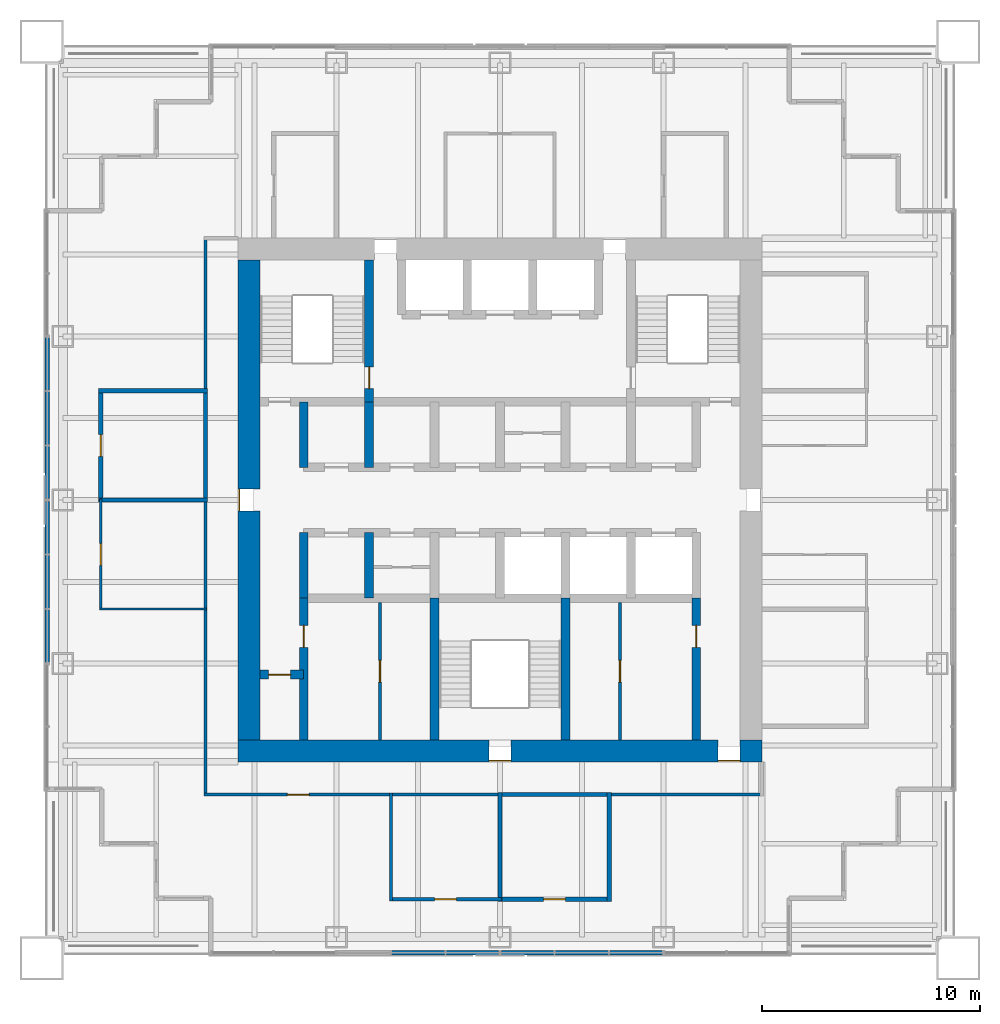
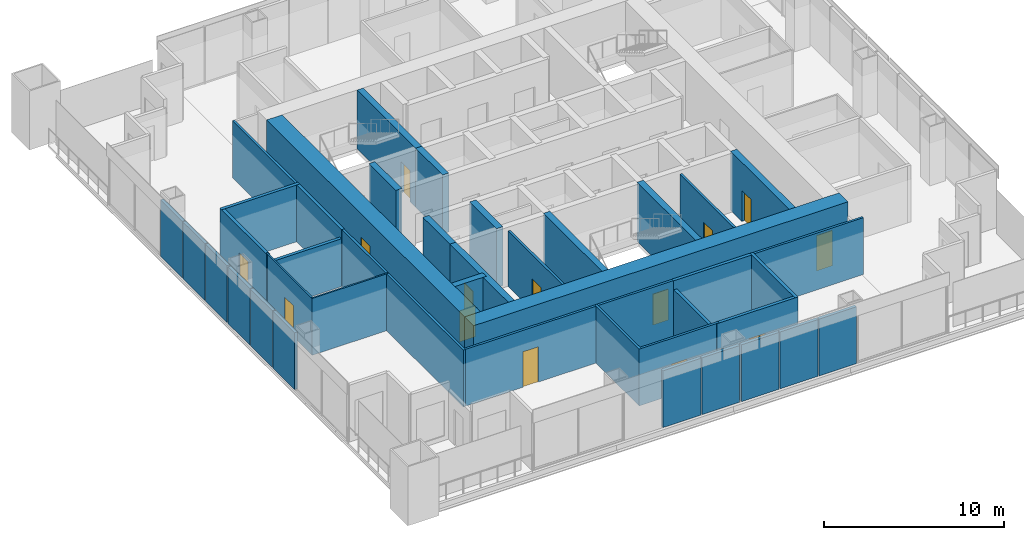
# One storey, part 9 of 14: 41 walls, 14 doors, 14 openings.
"""IFC4 building model written with IfcOpenShell, lengths in metres."""

import ifcopenshell
import ifcopenshell.guid

model = None  # the IFC model being written
_history = None  # IfcOwnerHistory: only IFC2X3 demands one
_inside = {}  # id of a spatial element -> (the spatial element, [elements in it])
_under = {}  # id of a project, library or spatial element -> (it, [spatial elements below it])
_declared = {}  # id of a project -> (the project, [libraries it declares])
_typed = {}  # id of a type object -> (the type object, [elements of that type])
_made_of = {}  # id of a material, layer set ... -> (it, [elements and type objects made of it])


def new_model(schema):
    """Start an empty IFC model of exactly this schema.

    Asked for "IFC4X3", IfcOpenShell would pick the latest addendum, in which some entities
    have other attributes; the version numbers below select the first issue.
    IFC2X3 requires an IfcOwnerHistory on every rooted entity: one is made here for all.
    """
    global model, _history
    if schema == "IFC4X3":
        model = ifcopenshell.file(schema_version=(4, 3, 0, 0))
    else:
        model = ifcopenshell.file(schema=schema)
    _inside.clear()
    _under.clear()
    _declared.clear()
    _typed.clear()
    _made_of.clear()
    _history = None
    if model.schema == "IFC2X3":
        org = make("IfcOrganization", Name="unknown")
        user = make(
            "IfcPersonAndOrganization",
            ThePerson=make("IfcPerson", FamilyName="unknown"),
            TheOrganization=org,
        )
        app = make(
            "IfcApplication",
            ApplicationDeveloper=org,
            Version="unknown",
            ApplicationFullName="unknown",
            ApplicationIdentifier="unknown",
        )
        _history = make(
            "IfcOwnerHistory",
            OwningUser=user,
            OwningApplication=app,
            ChangeAction="ADDED",
            CreationDate=0,
        )
    return model


def make(cls, **values):
    """One entity of the class cls with the attributes given. An attribute that is None is left unset."""
    return model.create_entity(
        cls, **{name: value for name, value in values.items() if value is not None}
    )


def rooted(cls, **values):
    """An entity with a GlobalId (a new one), such as an element, a storey or a relation."""
    return make(cls, GlobalId=ifcopenshell.guid.new(), OwnerHistory=_history, **values)


def si_unit(unit_type, name, prefix=None):
    """IfcSIUnit, for example si_unit("LENGTHUNIT", "METRE", prefix="MILLI")."""
    return make("IfcSIUnit", UnitType=unit_type, Prefix=prefix, Name=name)


def assignment(units):
    """IfcUnitAssignment: the units of a project."""
    return None if units is None else make("IfcUnitAssignment", Units=units)


def point(xyz):
    """IfcCartesianPoint."""
    return None if xyz is None else make("IfcCartesianPoint", Coordinates=xyz)


def direction(xyz):
    """IfcDirection."""
    return None if xyz is None else make("IfcDirection", DirectionRatios=xyz)


def frame(location, z_axis=None, x_axis=None):
    """IfcAxis2Placement3D, a coordinate frame: its origin and axes. An axis left out is left unset."""
    return make(
        "IfcAxis2Placement3D",
        Location=point(location),
        Axis=direction(z_axis),
        RefDirection=direction(x_axis),
    )


def frame_2d(location, x_axis=None):
    """IfcAxis2Placement2D, a coordinate frame in the plane: its origin and x axis."""
    return make(
        "IfcAxis2Placement2D", Location=point(location), RefDirection=direction(x_axis)
    )


def origin():
    """The frame at (0, 0, 0) with its axes left unset."""
    return frame((0.0, 0.0, 0.0))


def place(relative_to, where):
    """IfcLocalPlacement: puts the frame where relative to a parent placement (None: the world)."""
    return make(
        "IfcLocalPlacement", PlacementRelTo=relative_to, RelativePlacement=where
    )


def context(
    kind, dimensions, precision=None, world=None, true_north=None, identifier=None
):
    """IfcGeometricRepresentationContext, for example the 3D "Model" context."""
    return make(
        "IfcGeometricRepresentationContext",
        ContextIdentifier=identifier,
        ContextType=kind,
        CoordinateSpaceDimension=dimensions,
        Precision=precision,
        WorldCoordinateSystem=world,
        TrueNorth=true_north,
    )


def subcontext(parent, identifier, kind, view, scale=None):
    """IfcGeometricRepresentationSubContext, for example "Body" below "Model"."""
    return make(
        "IfcGeometricRepresentationSubContext",
        ContextIdentifier=identifier,
        ContextType=kind,
        ParentContext=parent,
        TargetScale=scale,
        TargetView=view,
    )


def project(units=None, contexts=None):
    """IfcProject with its units and contexts."""
    return rooted(
        "IfcProject",
        Name="project",
        RepresentationContexts=contexts,
        UnitsInContext=assignment(units),
    )


def spatial(cls, under=None, at=None, **own):
    """A site, building, storey or space (cls), placed at a placement, below another one or the project."""
    s = rooted(cls, ObjectPlacement=at, **own)
    if under is not None:
        _under.setdefault(under.id(), (under, []))[1].append(s)
    return s


def profile(cls, at=None, kind="AREA", **sizes):
    """A parametric profile (cls). Its sizes go by their IFC names, for example OverallWidth=200.0."""
    return make(cls, ProfileType=kind, Position=at, **sizes)


def rectangle(**sizes):
    """IfcRectangleProfileDef."""
    return profile("IfcRectangleProfileDef", **sizes)


def extrude(swept, where, along, depth):
    """IfcExtrudedAreaSolid: the profile swept, set in the frame where, extruded along a direction by depth."""
    return make(
        "IfcExtrudedAreaSolid",
        SweptArea=swept,
        Position=where,
        ExtrudedDirection=direction(along),
        Depth=depth,
    )


def shape(context_of_items, identifier, shape_type, items):
    """IfcShapeRepresentation: the items that make up one representation, for example the "Body"."""
    return make(
        "IfcShapeRepresentation",
        ContextOfItems=context_of_items,
        RepresentationIdentifier=identifier,
        RepresentationType=shape_type,
        Items=items,
    )


def material(Name=None, Category=None):
    """IfcMaterial."""
    return make("IfcMaterial", Name=Name, Category=Category)


def layer(
    of_material, thickness, ventilated=None, Name=None, Category=None, Priority=None
):
    """IfcMaterialLayer: one layer of a wall or slab, of a material (None: an air gap)."""
    return make(
        "IfcMaterialLayer",
        Material=of_material,
        LayerThickness=thickness,
        IsVentilated=ventilated,
        Name=Name,
        Category=Category,
        Priority=Priority,
    )


def layer_set(layers, Name=None):
    """IfcMaterialLayerSet."""
    return make("IfcMaterialLayerSet", MaterialLayers=layers, LayerSetName=Name)


def made_of(thing, what):
    """Note that an element or type object is made of a material, layer set ...; save() writes the relation."""
    if what is not None:
        _made_of.setdefault(what.id(), (what, []))[1].append(thing)
    return thing


def type_object(cls, material=None, **own):
    """A type object (cls), such as IfcWallType, which elements share."""
    return made_of(rooted(cls, **own), material)


def element(
    cls,
    number,
    at=None,
    inside=None,
    cuts=None,
    type_object=None,
    material=None,
    context=None,
    identifier="Body",
    shape_type=None,
    held_by="IfcProductDefinitionShape",
    body=None,
    shapes=None,
    **own,
):
    """One element of the class cls, such as IfcWall. Its Tag is "e" and its number.

    at: its placement. inside: the storey or other place that contains it. cuts: it is an
    opening in that element (IfcRelVoidsElement). A single representation is given by context,
    identifier, shape_type and body (its items); several are given by shapes. held_by: the class
    of the entity that holds the representations. save() writes the other relations.
    """
    e = rooted(cls, Tag="e%d" % number, ObjectPlacement=at, **own)
    if body is not None:
        shapes = [shape(context, identifier, shape_type, body)]
    if shapes is not None:
        e.Representation = make(held_by, Representations=shapes)
    if inside is not None:
        _inside.setdefault(inside.id(), (inside, []))[1].append(e)
    if cuts is not None:
        rooted(
            "IfcRelVoidsElement", RelatingBuildingElement=cuts, RelatedOpeningElement=e
        )
    if type_object is not None:
        _typed.setdefault(type_object.id(), (type_object, []))[1].append(e)
    return made_of(e, material)


def fill(opening, filler):
    """IfcRelFillsElement: the door or window that sits in an opening."""
    return rooted(
        "IfcRelFillsElement",
        RelatingOpeningElement=opening,
        RelatedBuildingElement=filler,
    )


def aggregate(whole, parts):
    """IfcRelAggregates: a whole, such as a stair, and the parts it consists of."""
    return rooted("IfcRelAggregates", RelatingObject=whole, RelatedObjects=parts)


def save(model, path):
    """Write the relations noted so far, then the file.

    IfcRelAggregates (storeys below a building ...), IfcRelContainedInSpatialStructure (elements
    in a storey), IfcRelDefinesByType, IfcRelAssociatesMaterial and IfcRelDeclares: one each for
    every whole, place, type object, material and project.
    """
    for whole, parts in _under.values():
        aggregate(whole, parts)
    for where, things in _inside.values():
        rooted(
            "IfcRelContainedInSpatialStructure",
            RelatedElements=things,
            RelatingStructure=where,
        )
    for kind, things in _typed.values():
        rooted("IfcRelDefinesByType", RelatedObjects=things, RelatingType=kind)
    for what, things in _made_of.values():
        rooted("IfcRelAssociatesMaterial", RelatedObjects=things, RelatingMaterial=what)
    for by, libraries in _declared.values():
        rooted("IfcRelDeclares", RelatingContext=by, RelatedDefinitions=libraries)
    model.write(path)


model = new_model("IFC4")

# Units and contexts
model_context = context("Model", 3, precision=1e-05, world=origin(), true_north=direction((0.0, 1.0)))
body_context = subcontext(model_context, "Body", "Model", "MODEL_VIEW")
ifc_project = project(units=[si_unit("LENGTHUNIT", "METRE"), si_unit("AREAUNIT", "SQUARE_METRE"), si_unit("VOLUMEUNIT", "CUBIC_METRE"), si_unit("PLANEANGLEUNIT", "RADIAN"), si_unit("MASSUNIT", "GRAM", prefix="KILO")], contexts=[model_context])

# Site, building, storey
site_placement = place(None, origin())
site = spatial("IfcSite", under=ifc_project, at=site_placement, CompositionType="ELEMENT")
building_placement = place(site_placement, origin())
building = spatial("IfcBuilding", under=site, at=building_placement, Name="Tarangal Relay Tower", CompositionType="ELEMENT")
storey_placement = place(building_placement, frame((0.0, 0.0, 311.89990234375)))
storey = spatial("IfcBuildingStorey", under=building, at=storey_placement, Name="L69", CompositionType="ELEMENT", Elevation=311.89990234375)

# Wall, opening, door
ifc_material_1 = material(Name="Two layers gypsum board each side on twin steel studs, mineral wool", Category="steel")
ifc_layer_1 = layer(ifc_material_1, 0.199951171875)
ifc_layer_set_1 = layer_set([ifc_layer_1], Name="Acoustic partition 200")
wall_type_1 = type_object("IfcWallType", Name="Acoustic partition 200", PredefinedType="PARTITIONING", material=ifc_layer_set_1)
wall_1_placement = place(storey_placement, frame((-0.10009765625, -18.300048828125, 0.0), z_axis=(0.0, 0.0, 1.0), x_axis=(1.0, 0.0, 0.0)))
wall_1 = element("IfcWall", 1, at=wall_1_placement, inside=storey, type_object=wall_type_1, Name="Partition PT2 L69", PredefinedType="PARTITIONING", context=body_context, shape_type="SweptSolid", body=[
    extrude(rectangle(XDim=5.2001953125, YDim=0.199951171875, at=frame_2d((2.60009765625, 0.0))), origin(), (0.0, 0.0, 1.0), 3.85009765625),
])
opening_1_placement = place(wall_1_placement, frame((2.10009765625, 0.0, 0.0)))
opening_1 = element("IfcOpeningElement", 2, at=opening_1_placement, cuts=wall_1, Name="Opening D2", PredefinedType="OPENING", context=body_context, shape_type="SweptSolid", body=[
    extrude(rectangle(XDim=1.0, YDim=2.10009765625, at=frame_2d((0.5, 1.050048828125))), frame((0.0, 0.10986328125, 0.0), z_axis=(0.0, -1.0, 0.0), x_axis=(1.0, 0.0, 0.0)), (0.0, 0.0, 1.0), 0.219970703125),
])
ifc_material_2 = material(Name="Hardwood door", Category="wood")
door_type_1 = type_object("IfcDoorType", Name="Door 1000 x 2100", OperationType="SINGLE_SWING_LEFT", PredefinedType="DOOR", material=ifc_material_2)
door_1_placement = place(opening_1_placement, origin())
door_1 = element("IfcDoor", 3, at=door_1_placement, inside=storey, type_object=door_type_1, Name="Door D2 to quiet room L69-09", OperationType="SINGLE_SWING_LEFT", OverallHeight=2.10009765625, OverallWidth=1.0, PredefinedType="DOOR", context=body_context, shape_type="SweptSolid", body=[
    extrude(rectangle(XDim=1.0, YDim=2.10009765625, at=frame_2d((0.5, 1.050048828125))), frame((0.0, 0.02490234375, 0.0), z_axis=(0.0, -1.0, 0.0), x_axis=(1.0, 0.0, 0.0)), (0.0, 0.0, 1.0), 0.050048828125),
])
fill(opening_1, door_1)

# Walls
wall_2_placement = place(storey_placement, frame((-0.10009765625, -13.5, 0.0), z_axis=(0.0, 0.0, 1.0), x_axis=(1.0, 0.0, 0.0)))
element("IfcWall", 4, at=wall_2_placement, inside=storey, type_object=wall_type_1, Name="Partition PT2 L69", PredefinedType="PARTITIONING", context=body_context, shape_type="SweptSolid", body=[
    extrude(rectangle(XDim=5.2001953125, YDim=0.199951171875, at=frame_2d((2.60009765625, 0.0))), origin(), (0.0, 0.0, 1.0), 3.85009765625),
])
wall_3_placement = place(storey_placement, frame((-18.39990234375, 0.0, 0.0), z_axis=(0.0, 0.0, 1.0), x_axis=(1.0, 0.0, 0.0)))
element("IfcWall", 5, at=wall_3_placement, inside=storey, type_object=wall_type_1, Name="Partition PT2 L69", PredefinedType="PARTITIONING", context=body_context, shape_type="SweptSolid", body=[
    extrude(rectangle(XDim=5.0, YDim=0.199951171875, at=frame_2d((2.5, 0.0))), origin(), (0.0, 0.0, 1.0), 3.2431640625),
])
wall_4_placement = place(storey_placement, frame((-18.39990234375, 5.0, 0.0), z_axis=(0.0, 0.0, 1.0), x_axis=(1.0, 0.0, 0.0)))
element("IfcWall", 6, at=wall_4_placement, inside=storey, type_object=wall_type_1, Name="Partition PT2 L69", PredefinedType="PARTITIONING", context=body_context, shape_type="SweptSolid", body=[
    extrude(rectangle(XDim=5.0, YDim=0.199951171875, at=frame_2d((2.5, 0.0))), origin(), (0.0, 0.0, 1.0), 3.85009765625),
])

# Wall, opening, door
wall_5_placement = place(storey_placement, frame((-18.300048828125, -0.10009765625, 0.0), z_axis=(0.0, 0.0, 1.0), x_axis=(0.0, 1.0, 0.0)))
wall_5 = element("IfcWall", 7, at=wall_5_placement, inside=storey, type_object=wall_type_1, Name="Partition PT2 L69", PredefinedType="PARTITIONING", context=body_context, shape_type="SweptSolid", body=[
    extrude(rectangle(XDim=5.2001953125, YDim=0.199951171875, at=frame_2d((2.60009765625, 0.0))), origin(), (0.0, 0.0, 1.0), 3.85009765625),
])
opening_2_placement = place(wall_5_placement, frame((2.10009765625, 0.0, 0.0)))
opening_2 = element("IfcOpeningElement", 8, at=opening_2_placement, cuts=wall_5, Name="Opening D2", PredefinedType="OPENING", context=body_context, shape_type="SweptSolid", body=[
    extrude(rectangle(XDim=1.0, YDim=2.10009765625, at=frame_2d((0.5, 1.050048828125))), frame((0.0, 0.10986328125, 0.0), z_axis=(0.0, -1.0, 0.0), x_axis=(1.0, 0.0, 0.0)), (0.0, 0.0, 1.0), 0.219970703125),
])
door_2_placement = place(opening_2_placement, origin())
door_2 = element("IfcDoor", 9, at=door_2_placement, inside=storey, type_object=door_type_1, Name="Door D2 to wellness room L69-12", OperationType="SINGLE_SWING_LEFT", OverallHeight=2.10009765625, OverallWidth=1.0, PredefinedType="DOOR", context=body_context, shape_type="SweptSolid", body=[
    extrude(rectangle(XDim=1.0, YDim=2.10009765625, at=frame_2d((0.5, 1.050048828125))), frame((0.0, 0.02490234375, 0.0), z_axis=(0.0, -1.0, 0.0), x_axis=(1.0, 0.0, 0.0)), (0.0, 0.0, 1.0), 0.050048828125),
])
fill(opening_2, door_2)

# Walls
wall_6_placement = place(storey_placement, frame((-13.5, -0.10009765625, 0.0), z_axis=(0.0, 0.0, 1.0), x_axis=(0.0, 1.0, 0.0)))
element("IfcWall", 10, at=wall_6_placement, inside=storey, type_object=wall_type_1, Name="Partition PT2 L69", PredefinedType="PARTITIONING", context=body_context, shape_type="SweptSolid", body=[
    extrude(rectangle(XDim=5.2001953125, YDim=0.199951171875, at=frame_2d((2.60009765625, 0.0))), origin(), (0.0, 0.0, 1.0), 3.85009765625),
])
wall_7_placement = place(storey_placement, frame((0.0, -18.39990234375, 0.0), z_axis=(0.0, 0.0, 1.0), x_axis=(0.0, 1.0, 0.0)))
element("IfcWall", 11, at=wall_7_placement, inside=storey, type_object=wall_type_1, Name="Partition PT2 L69", PredefinedType="PARTITIONING", context=body_context, shape_type="SweptSolid", body=[
    extrude(rectangle(XDim=5.0, YDim=0.199951171875, at=frame_2d((2.5, 0.0))), origin(), (0.0, 0.0, 1.0), 3.2431640625),
])
wall_8_placement = place(storey_placement, frame((5.0, -18.39990234375, 0.0), z_axis=(0.0, 0.0, 1.0), x_axis=(0.0, 1.0, 0.0)))
element("IfcWall", 12, at=wall_8_placement, inside=storey, type_object=wall_type_1, Name="Partition PT2 L69", PredefinedType="PARTITIONING", context=body_context, shape_type="SweptSolid", body=[
    extrude(rectangle(XDim=5.0, YDim=0.199951171875, at=frame_2d((2.5, 0.0))), origin(), (0.0, 0.0, 1.0), 3.85009765625),
])

# Wall, opening, door
ifc_material_3 = material(Name="Concrete fc' 60 MPa", Category="concrete")
ifc_layer_2 = layer(ifc_material_3, 0.39990234375)
ifc_layer_set_2 = layer_set([ifc_layer_2], Name="Core inner wall 400")
wall_type_2 = type_object("IfcWallType", Name="Core inner wall 400", PredefinedType="SHEAR", material=ifc_layer_set_2)
wall_9_placement = place(storey_placement, frame((-11.0, -8.0, 0.0), z_axis=(0.0, 0.0, 1.0), x_axis=(1.0, 0.0, 0.0)))
wall_9 = element("IfcWall", 13, at=wall_9_placement, inside=storey, type_object=wall_type_2, Name="Core wall YM8 L69", PredefinedType="SHEAR", context=body_context, shape_type="SweptSolid", body=[
    extrude(rectangle(XDim=2.0, YDim=0.39990234375, at=frame_2d((1.0, 0.0))), origin(), (0.0, 0.0, 1.0), 4.0),
])
opening_3_placement = place(wall_9_placement, frame((0.39990234375, 0.0, 0.0)))
opening_3 = element("IfcOpeningElement", 14, at=opening_3_placement, cuts=wall_9, Name="Opening D1", PredefinedType="OPENING", context=body_context, shape_type="SweptSolid", body=[
    extrude(rectangle(XDim=1.0, YDim=2.10009765625, at=frame_2d((0.5, 1.050048828125))), frame((0.0, 0.2099609375, 0.0), z_axis=(0.0, -1.0, 0.0), x_axis=(1.0, 0.0, 0.0)), (0.0, 0.0, 1.0), 0.419921875),
])
door_type_2 = type_object("IfcDoorType", Name="WC door 1000 x 2100", OperationType="SINGLE_SWING_LEFT", PredefinedType="DOOR", material=ifc_material_2)
door_3_placement = place(opening_3_placement, origin())
door_3 = element("IfcDoor", 15, at=door_3_placement, inside=storey, type_object=door_type_2, Name="Accessible WC door L69", OperationType="SINGLE_SWING_LEFT", OverallHeight=2.10009765625, OverallWidth=1.0, PredefinedType="DOOR", context=body_context, shape_type="SweptSolid", body=[
    extrude(rectangle(XDim=1.0, YDim=2.10009765625, at=frame_2d((0.5, 1.050048828125))), frame((0.0, 0.02490234375, 0.0), z_axis=(0.0, -1.0, 0.0), x_axis=(1.0, 0.0, 0.0)), (0.0, 0.0, 1.0), 0.050048828125),
])
fill(opening_3, door_3)

# Walls
for number, where, z_axis, x_axis, name in (
    (16, (-9.0, 1.5, 0.0), (0.0, 0.0, 1.0), (0.0, 1.0, 0.0), "Core wall XM9N L69"),
    (17, (-9.0, -4.5, 0.0), (0.0, 0.0, 1.0), (0.0, 1.0, 0.0), "Core wall XM9S L69"),
    (18, (-6.0, 1.5, 0.0), (0.0, 0.0, 1.0), (0.0, 1.0, 0.0), "Core wall XM6N L69"),
    (19, (-6.0, -4.5, 0.0), (0.0, 0.0, 1.0), (0.0, 1.0, 0.0), "Core wall XM6S L69"),
):
    element("IfcWall", number, at=place(storey_placement, frame(where, z_axis=z_axis, x_axis=x_axis)), inside=storey, type_object=wall_type_2, Name=name, PredefinedType="SHEAR", context=body_context, shape_type="SweptSolid", body=[
        extrude(rectangle(XDim=3.0, YDim=0.39990234375, at=frame_2d((1.5, 0.0))), origin(), (0.0, 0.0, 1.0), 4.0),
    ])

# Wall, opening, door
wall_10_placement = place(storey_placement, frame((-6.0, 4.5, 0.0), z_axis=(0.0, 0.0, 1.0), x_axis=(0.0, 1.0, 0.0)))
wall_10 = element("IfcWall", 20, at=wall_10_placement, inside=storey, type_object=wall_type_2, Name="Core wall XM6 L69", PredefinedType="SHEAR", context=body_context, shape_type="SweptSolid", body=[
    extrude(rectangle(XDim=6.5, YDim=0.39990234375, at=frame_2d((3.25, 0.0))), origin(), (0.0, 0.0, 1.0), 4.0),
])
opening_4_placement = place(wall_10_placement, frame((0.60009765625, 0.0, 0.0)))
opening_4 = element("IfcOpeningElement", 21, at=opening_4_placement, cuts=wall_10, Name="Opening FD1", PredefinedType="OPENING", context=body_context, shape_type="SweptSolid", body=[
    extrude(rectangle(XDim=1.0, YDim=2.10009765625, at=frame_2d((0.5, 1.050048828125))), frame((0.0, 0.2099609375, 0.0), z_axis=(0.0, -1.0, 0.0), x_axis=(1.0, 0.0, 0.0)), (0.0, 0.0, 1.0), 0.419921875),
])
ifc_material_4 = material(Name="Steel door with hardwood frame", Category="steel")
door_type_3 = type_object("IfcDoorType", Name="Fire door 1000 x 2100", OperationType="SINGLE_SWING_LEFT", PredefinedType="DOOR", material=ifc_material_4)
door_4_placement = place(opening_4_placement, origin())
door_4 = element("IfcDoor", 22, at=door_4_placement, inside=storey, type_object=door_type_3, Name="Stair ST-A door from fire-fighting lobby L69", OperationType="SINGLE_SWING_LEFT", OverallHeight=2.10009765625, OverallWidth=1.0, PredefinedType="DOOR", context=body_context, shape_type="SweptSolid", body=[
    extrude(rectangle(XDim=1.0, YDim=2.10009765625, at=frame_2d((0.5, 1.050048828125))), frame((0.0, 0.02490234375, 0.0), z_axis=(0.0, -1.0, 0.0), x_axis=(1.0, 0.0, 0.0)), (0.0, 0.0, 1.0), 0.050048828125),
])
fill(opening_4, door_4)

wall_11_placement = place(storey_placement, frame((-9.0, -11.0, 0.0), z_axis=(0.0, 0.0, 1.0), x_axis=(0.0, 1.0, 0.0)))
wall_11 = element("IfcWall", 23, at=wall_11_placement, inside=storey, type_object=wall_type_2, Name="Core wall XM9W L69", PredefinedType="SHEAR", context=body_context, shape_type="SweptSolid", body=[
    extrude(rectangle(XDim=6.5, YDim=0.39990234375, at=frame_2d((3.25, 0.0))), origin(), (0.0, 0.0, 1.0), 4.0),
])
opening_5_placement = place(wall_11_placement, frame((4.25, 0.0, 0.0)))
opening_5 = element("IfcOpeningElement", 24, at=opening_5_placement, cuts=wall_11, Name="Opening D1", PredefinedType="OPENING", context=body_context, shape_type="SweptSolid", body=[
    extrude(rectangle(XDim=1.0, YDim=2.10009765625, at=frame_2d((0.5, 1.050048828125))), frame((0.0, 0.2099609375, 0.0), z_axis=(0.0, -1.0, 0.0), x_axis=(1.0, 0.0, 0.0)), (0.0, 0.0, 1.0), 0.419921875),
])
door_5_placement = place(opening_5_placement, origin())
door_5 = element("IfcDoor", 25, at=door_5_placement, inside=storey, type_object=door_type_2, Name="Male WC door L69", OperationType="SINGLE_SWING_LEFT", OverallHeight=2.10009765625, OverallWidth=1.0, PredefinedType="DOOR", context=body_context, shape_type="SweptSolid", body=[
    extrude(rectangle(XDim=1.0, YDim=2.10009765625, at=frame_2d((0.5, 1.050048828125))), frame((0.0, 0.02490234375, 0.0), z_axis=(0.0, -1.0, 0.0), x_axis=(1.0, 0.0, 0.0)), (0.0, 0.0, 1.0), 0.050048828125),
])
fill(opening_5, door_5)

wall_12_placement = place(storey_placement, frame((9.0, -11.0, 0.0), z_axis=(0.0, 0.0, 1.0), x_axis=(0.0, 1.0, 0.0)))
wall_12 = element("IfcWall", 26, at=wall_12_placement, inside=storey, type_object=wall_type_2, Name="Core wall X9W L69", PredefinedType="SHEAR", context=body_context, shape_type="SweptSolid", body=[
    extrude(rectangle(XDim=6.5, YDim=0.39990234375, at=frame_2d((3.25, 0.0))), origin(), (0.0, 0.0, 1.0), 4.0),
])
opening_6_placement = place(wall_12_placement, frame((4.25, 0.0, 0.0)))
opening_6 = element("IfcOpeningElement", 27, at=opening_6_placement, cuts=wall_12, Name="Opening D1", PredefinedType="OPENING", context=body_context, shape_type="SweptSolid", body=[
    extrude(rectangle(XDim=1.0, YDim=2.10009765625, at=frame_2d((0.5, 1.050048828125))), frame((0.0, 0.2099609375, 0.0), z_axis=(0.0, -1.0, 0.0), x_axis=(1.0, 0.0, 0.0)), (0.0, 0.0, 1.0), 0.419921875),
])
door_6_placement = place(opening_6_placement, origin())
door_6 = element("IfcDoor", 28, at=door_6_placement, inside=storey, type_object=door_type_2, Name="Female WC door L69", OperationType="SINGLE_SWING_LEFT", OverallHeight=2.10009765625, OverallWidth=1.0, PredefinedType="DOOR", context=body_context, shape_type="SweptSolid", body=[
    extrude(rectangle(XDim=1.0, YDim=2.10009765625, at=frame_2d((0.5, 1.050048828125))), frame((0.0, 0.02490234375, 0.0), z_axis=(0.0, -1.0, 0.0), x_axis=(1.0, 0.0, 0.0)), (0.0, 0.0, 1.0), 0.050048828125),
])
fill(opening_6, door_6)

# Walls
for number, where, z_axis, x_axis, name in (
    (29, (-3.0, -11.0, 0.0), (0.0, 0.0, 1.0), (0.0, 1.0, 0.0), "Core wall XM3W L69"),
    (30, (3.0, -11.0, 0.0), (0.0, 0.0, 1.0), (0.0, 1.0, 0.0), "Core wall X3W L69"),
):
    element("IfcWall", number, at=place(storey_placement, frame(where, z_axis=z_axis, x_axis=x_axis)), inside=storey, type_object=wall_type_2, Name=name, PredefinedType="SHEAR", context=body_context, shape_type="SweptSolid", body=[
        extrude(rectangle(XDim=6.5, YDim=0.39990234375, at=frame_2d((3.25, 0.0))), origin(), (0.0, 0.0, 1.0), 4.0),
    ])

# Wall, openings, doors
ifc_layer_3 = layer(ifc_material_3, 1.0)
ifc_layer_set_3 = layer_set([ifc_layer_3], Name="Core wall 1000")
wall_type_3 = type_object("IfcWallType", Name="Core wall 1000", PredefinedType="SHEAR", material=ifc_layer_set_3)
wall_13_placement = place(storey_placement, frame((12.0, -11.5, 0.0), z_axis=(0.0, 0.0, 1.0), x_axis=(-1.0, 0.0, 0.0)))
wall_13 = element("IfcWall", 31, at=wall_13_placement, inside=storey, type_object=wall_type_3, Name="Core wall S L69", PredefinedType="SHEAR", context=body_context, shape_type="SweptSolid", body=[
    extrude(rectangle(XDim=24.0, YDim=1.0, at=frame_2d((12.0, 0.0))), origin(), (0.0, 0.0, 1.0), 4.0),
])
opening_7_placement = place(wall_13_placement, frame((11.5, 0.0, 0.0)))
opening_7 = element("IfcOpeningElement", 32, at=opening_7_placement, cuts=wall_13, Name="Opening FD1", PredefinedType="OPENING", context=body_context, shape_type="SweptSolid", body=[
    extrude(rectangle(XDim=1.0, YDim=2.10009765625, at=frame_2d((0.5, 1.050048828125))), frame((0.0, 0.510009765625, 0.0), z_axis=(0.0, -1.0, 0.0), x_axis=(1.0, 0.0, 0.0)), (0.0, 0.0, 1.0), 1.02001953125),
])
opening_8_placement = place(wall_13_placement, frame((1.0, 0.0, 0.0)))
opening_8 = element("IfcOpeningElement", 33, at=opening_8_placement, cuts=wall_13, Name="Opening FD3", PredefinedType="OPENING", context=body_context, shape_type="SweptSolid", body=[
    extrude(rectangle(XDim=1.0, YDim=2.39990234375, at=frame_2d((0.5, 1.199951171875))), frame((0.0, 0.510009765625, 0.0), z_axis=(0.0, -1.0, 0.0), x_axis=(1.0, 0.0, 0.0)), (0.0, 0.0, 1.0), 1.02001953125),
])
door_7_placement = place(opening_7_placement, origin())
door_7 = element("IfcDoor", 34, at=door_7_placement, inside=storey, type_object=door_type_3, Name="Stair ST-C door L69", OperationType="SINGLE_SWING_LEFT", OverallHeight=2.10009765625, OverallWidth=1.0, PredefinedType="DOOR", context=body_context, shape_type="SweptSolid", body=[
    extrude(rectangle(XDim=1.0, YDim=2.10009765625, at=frame_2d((0.5, 1.050048828125))), frame((0.0, 0.48486328125, 0.0), z_axis=(0.0, -1.0, 0.0), x_axis=(1.0, 0.0, 0.0)), (0.0, 0.0, 1.0), 0.050048828125),
])
fill(opening_7, door_7)
door_type_4 = type_object("IfcDoorType", Name="Fire door 1000 x 2400 core entry", OperationType="SINGLE_SWING_RIGHT", PredefinedType="DOOR", material=ifc_material_4)
door_8_placement = place(opening_8_placement, origin())
door_8 = element("IfcDoor", 35, at=door_8_placement, inside=storey, type_object=door_type_4, Name="Core entry door south east L69", OperationType="SINGLE_SWING_RIGHT", OverallHeight=2.39990234375, OverallWidth=1.0, PredefinedType="DOOR", context=body_context, shape_type="SweptSolid", body=[
    extrude(rectangle(XDim=1.0, YDim=2.39990234375, at=frame_2d((0.5, 1.199951171875))), frame((0.0, 0.48486328125, 0.0), z_axis=(0.0, -1.0, 0.0), x_axis=(1.0, 0.0, 0.0)), (0.0, 0.0, 1.0), 0.050048828125),
])
fill(opening_8, door_8)

# Wall, opening, door
wall_14_placement = place(storey_placement, frame((-11.5, -11.0, 0.0), z_axis=(0.0, 0.0, 1.0), x_axis=(0.0, 1.0, 0.0)))
wall_14 = element("IfcWall", 36, at=wall_14_placement, inside=storey, type_object=wall_type_3, Name="Core wall W L69", PredefinedType="SHEAR", context=body_context, shape_type="SweptSolid", body=[
    extrude(rectangle(XDim=22.0, YDim=1.0, at=frame_2d((11.0, 0.0))), origin(), (0.0, 0.0, 1.0), 4.0),
])
opening_9_placement = place(wall_14_placement, frame((10.5, 0.0, 0.0)))
opening_9 = element("IfcOpeningElement", 37, at=opening_9_placement, cuts=wall_14, Name="Opening FD3", PredefinedType="OPENING", context=body_context, shape_type="SweptSolid", body=[
    extrude(rectangle(XDim=1.0, YDim=2.39990234375, at=frame_2d((0.5, 1.199951171875))), frame((0.0, 0.510009765625, 0.0), z_axis=(0.0, -1.0, 0.0), x_axis=(1.0, 0.0, 0.0)), (0.0, 0.0, 1.0), 1.02001953125),
])
door_9_placement = place(opening_9_placement, origin())
door_9 = element("IfcDoor", 38, at=door_9_placement, inside=storey, type_object=door_type_4, Name="Core entry door west L69", OperationType="SINGLE_SWING_RIGHT", OverallHeight=2.39990234375, OverallWidth=1.0, PredefinedType="DOOR", context=body_context, shape_type="SweptSolid", body=[
    extrude(rectangle(XDim=1.0, YDim=2.39990234375, at=frame_2d((0.5, 1.199951171875))), frame((0.0, 0.48486328125, 0.0), z_axis=(0.0, -1.0, 0.0), x_axis=(1.0, 0.0, 0.0)), (0.0, 0.0, 1.0), 0.050048828125),
])
fill(opening_9, door_9)

# Walls
ifc_material_5 = material(Name="Black metal clad insulated wall", Category="steel")
ifc_layer_4 = layer(ifc_material_5, 0.199951171875)
ifc_layer_set_4 = layer_set([ifc_layer_4], Name="Facade infill wall metal clad 200")
wall_type_4 = type_object("IfcWallType", Name="Facade infill wall metal clad 200", PredefinedType="SOLIDWALL", material=ifc_layer_set_4)
wall_15_placement = place(storey_placement, frame((7.43994140625, -20.75, 0.0), z_axis=(0.0, 0.0, 1.0), x_axis=(-1.0, 0.0, 0.0)))
element("IfcWall", 39, at=wall_15_placement, inside=storey, type_object=wall_type_4, Name="Facade infill wall S facade L69 1.1", PredefinedType="SOLIDWALL", context=body_context, shape_type="SweptSolid", body=[
    extrude(rectangle(XDim=2.409912109375, YDim=0.199951171875, at=frame_2d((1.205078125, 0.0))), origin(), (0.0, 0.0, 1.0), 3.85009765625),
])
wall_16_placement = place(storey_placement, frame((4.969970703125, -20.75, 0.0), z_axis=(0.0, 0.0, 1.0), x_axis=(-1.0, 0.0, 0.0)))
element("IfcWall", 40, at=wall_16_placement, inside=storey, type_object=wall_type_4, Name="Facade infill wall S facade L69 2.1", PredefinedType="SOLIDWALL", context=body_context, shape_type="SweptSolid", body=[
    extrude(rectangle(XDim=2.43994140625, YDim=0.199951171875, at=frame_2d((1.219970703125, 0.0))), origin(), (0.0, 0.0, 1.0), 3.85009765625),
])
for number, where, z_axis, x_axis, name in (
    (41, (2.469970703125, -20.75, 0.0), (0.0, 0.0, 1.0), (-1.0, 0.0, 0.0), "Facade infill wall S facade L69 3.1"),
    (42, (-0.06005859375, -20.75, 0.0), (0.0, 0.0, 1.0), (-1.0, 0.0, 0.0), "Facade infill wall S facade L69 1.1"),
):
    element("IfcWall", number, at=place(storey_placement, frame(where, z_axis=z_axis, x_axis=x_axis)), inside=storey, type_object=wall_type_4, Name=name, PredefinedType="SOLIDWALL", context=body_context, shape_type="SweptSolid", body=[
        extrude(rectangle(XDim=2.409912109375, YDim=0.199951171875, at=frame_2d((1.205078125, 0.0))), origin(), (0.0, 0.0, 1.0), 3.85009765625),
    ])
wall_17_placement = place(storey_placement, frame((-2.530029296875, -20.75, 0.0), z_axis=(0.0, 0.0, 1.0), x_axis=(-1.0, 0.0, 0.0)))
element("IfcWall", 43, at=wall_17_placement, inside=storey, type_object=wall_type_4, Name="Facade infill wall S facade L69 2.1", PredefinedType="SOLIDWALL", context=body_context, shape_type="SweptSolid", body=[
    extrude(rectangle(XDim=2.43994140625, YDim=0.199951171875, at=frame_2d((1.219970703125, 0.0))), origin(), (0.0, 0.0, 1.0), 3.85009765625),
])
wall_18_placement = place(storey_placement, frame((-20.75, -7.43994140625, 0.0), z_axis=(0.0, 0.0, 1.0), x_axis=(0.0, 1.0, 0.0)))
element("IfcWall", 44, at=wall_18_placement, inside=storey, type_object=wall_type_4, Name="Facade infill wall W facade L69 1.1", PredefinedType="SOLIDWALL", context=body_context, shape_type="SweptSolid", body=[
    extrude(rectangle(XDim=2.409912109375, YDim=0.199951171875, at=frame_2d((1.205078125, 0.0))), origin(), (0.0, 0.0, 1.0), 3.85009765625),
])
wall_19_placement = place(storey_placement, frame((-20.75, -4.969970703125, 0.0), z_axis=(0.0, 0.0, 1.0), x_axis=(0.0, 1.0, 0.0)))
element("IfcWall", 45, at=wall_19_placement, inside=storey, type_object=wall_type_4, Name="Facade infill wall W facade L69 2.1", PredefinedType="SOLIDWALL", context=body_context, shape_type="SweptSolid", body=[
    extrude(rectangle(XDim=2.43994140625, YDim=0.199951171875, at=frame_2d((1.219970703125, 0.0))), origin(), (0.0, 0.0, 1.0), 3.85009765625),
])
for number, where, z_axis, x_axis, name in (
    (46, (-20.75, -2.469970703125, 0.0), (0.0, 0.0, 1.0), (0.0, 1.0, 0.0), "Facade infill wall W facade L69 3.1"),
    (47, (-20.75, 0.06005859375, 0.0), (0.0, 0.0, 1.0), (0.0, 1.0, 0.0), "Facade infill wall W facade L69 1.1"),
):
    element("IfcWall", number, at=place(storey_placement, frame(where, z_axis=z_axis, x_axis=x_axis)), inside=storey, type_object=wall_type_4, Name=name, PredefinedType="SOLIDWALL", context=body_context, shape_type="SweptSolid", body=[
        extrude(rectangle(XDim=2.409912109375, YDim=0.199951171875, at=frame_2d((1.205078125, 0.0))), origin(), (0.0, 0.0, 1.0), 3.85009765625),
    ])
wall_20_placement = place(storey_placement, frame((-20.75, 2.530029296875, 0.0), z_axis=(0.0, 0.0, 1.0), x_axis=(0.0, 1.0, 0.0)))
element("IfcWall", 48, at=wall_20_placement, inside=storey, type_object=wall_type_4, Name="Facade infill wall W facade L69 2.1", PredefinedType="SOLIDWALL", context=body_context, shape_type="SweptSolid", body=[
    extrude(rectangle(XDim=2.43994140625, YDim=0.199951171875, at=frame_2d((1.219970703125, 0.0))), origin(), (0.0, 0.0, 1.0), 3.85009765625),
])
wall_21_placement = place(storey_placement, frame((-20.75, 5.030029296875, 0.0), z_axis=(0.0, 0.0, 1.0), x_axis=(0.0, 1.0, 0.0)))
element("IfcWall", 49, at=wall_21_placement, inside=storey, type_object=wall_type_4, Name="Facade infill wall W facade L69 3.1", PredefinedType="SOLIDWALL", context=body_context, shape_type="SweptSolid", body=[
    extrude(rectangle(XDim=2.409912109375, YDim=0.199951171875, at=frame_2d((1.205078125, 0.0))), origin(), (0.0, 0.0, 1.0), 3.85009765625),
])
ifc_material_6 = material(Name="Double glazed aluminium framed partition", Category="aluminium")
ifc_layer_5 = layer(ifc_material_6, 0.10009765625)
ifc_layer_set_5 = layer_set([ifc_layer_5], Name="Glazed partition 100")
wall_type_5 = type_object("IfcWallType", Name="Glazed partition 100", PredefinedType="PARTITIONING", material=ifc_layer_set_5)
wall_22_placement = place(storey_placement, frame((-18.35009765625, -5.0, 0.0), z_axis=(0.0, 0.0, 1.0), x_axis=(1.0, 0.0, 0.0)))
element("IfcWall", 50, at=wall_22_placement, inside=storey, type_object=wall_type_5, Name="Partition PT3 L69", PredefinedType="PARTITIONING", context=body_context, shape_type="SweptSolid", body=[
    extrude(rectangle(XDim=4.900146484375, YDim=0.10009765625, at=frame_2d((2.4501953125, 0.0))), origin(), (0.0, 0.0, 1.0), 3.85009765625),
])

# Wall, opening, door
wall_23_placement = place(storey_placement, frame((-18.300048828125, -5.050048828125, 0.0), z_axis=(0.0, 0.0, 1.0), x_axis=(0.0, 1.0, 0.0)))
wall_23 = element("IfcWall", 51, at=wall_23_placement, inside=storey, type_object=wall_type_5, Name="Partition PT3 L69", PredefinedType="PARTITIONING", context=body_context, shape_type="SweptSolid", body=[
    extrude(rectangle(XDim=5.10009765625, YDim=0.10009765625, at=frame_2d((2.550048828125, 0.0))), origin(), (0.0, 0.0, 1.0), 3.85009765625),
])
opening_10_placement = place(wall_23_placement, frame((2.050048828125, 0.0, 0.0)))
opening_10 = element("IfcOpeningElement", 52, at=opening_10_placement, cuts=wall_23, Name="Opening D3", PredefinedType="OPENING", context=body_context, shape_type="SweptSolid", body=[
    extrude(rectangle(XDim=1.0, YDim=2.10009765625, at=frame_2d((0.5, 1.050048828125))), frame((0.0, 0.06005859375, 0.0), z_axis=(0.0, -1.0, 0.0), x_axis=(1.0, 0.0, 0.0)), (0.0, 0.0, 1.0), 0.1201171875),
])
ifc_material_7 = material(Name="Frameless glass door", Category="glass")
door_type_5 = type_object("IfcDoorType", Name="Glazed door 1000 x 2100", OperationType="SINGLE_SWING_LEFT", PredefinedType="DOOR", material=ifc_material_7)
door_10_placement = place(opening_10_placement, origin())
door_10 = element("IfcDoor", 53, at=door_10_placement, inside=storey, type_object=door_type_5, Name="Door D3 to team room L69-11", OperationType="SINGLE_SWING_LEFT", OverallHeight=2.10009765625, OverallWidth=1.0, PredefinedType="DOOR", context=body_context, shape_type="SweptSolid", body=[
    extrude(rectangle(XDim=1.0, YDim=2.10009765625, at=frame_2d((0.5, 1.050048828125))), frame((0.0, 0.02490234375, 0.0), z_axis=(0.0, -1.0, 0.0), x_axis=(1.0, 0.0, 0.0)), (0.0, 0.0, 1.0), 0.050048828125),
])
fill(opening_10, door_10)

ifc_material_8 = material(Name="Gypsum board on steel studs", Category="steel")
ifc_layer_6 = layer(ifc_material_8, 0.14990234375)
ifc_layer_set_6 = layer_set([ifc_layer_6], Name="Partition 150")
wall_type_6 = type_object("IfcWallType", Name="Partition 150", PredefinedType="PARTITIONING", material=ifc_layer_set_6)
wall_24_placement = place(storey_placement, frame((-5.074951171875, -18.300048828125, 0.0), z_axis=(0.0, 0.0, 1.0), x_axis=(1.0, 0.0, 0.0)))
wall_24 = element("IfcWall", 54, at=wall_24_placement, inside=storey, type_object=wall_type_6, Name="Partition PT1 L69", PredefinedType="PARTITIONING", context=body_context, shape_type="SweptSolid", body=[
    extrude(rectangle(XDim=5.14990234375, YDim=0.14990234375, at=frame_2d((2.574951171875, 0.0))), origin(), (0.0, 0.0, 1.0), 3.85009765625),
])
opening_11_placement = place(wall_24_placement, frame((2.074951171875, 0.0, 0.0)))
opening_11 = element("IfcOpeningElement", 55, at=opening_11_placement, cuts=wall_24, Name="Opening D2", PredefinedType="OPENING", context=body_context, shape_type="SweptSolid", body=[
    extrude(rectangle(XDim=1.0, YDim=2.10009765625, at=frame_2d((0.5, 1.050048828125))), frame((0.0, 0.0849609375, 0.0), z_axis=(0.0, -1.0, 0.0), x_axis=(1.0, 0.0, 0.0)), (0.0, 0.0, 1.0), 0.169921875),
])
door_11_placement = place(opening_11_placement, origin())
door_11 = element("IfcDoor", 56, at=door_11_placement, inside=storey, type_object=door_type_1, Name="Door D2 to print room L69-10", OperationType="SINGLE_SWING_LEFT", OverallHeight=2.10009765625, OverallWidth=1.0, PredefinedType="DOOR", context=body_context, shape_type="SweptSolid", body=[
    extrude(rectangle(XDim=1.0, YDim=2.10009765625, at=frame_2d((0.5, 1.050048828125))), frame((0.0, 0.02490234375, 0.0), z_axis=(0.0, -1.0, 0.0), x_axis=(1.0, 0.0, 0.0)), (0.0, 0.0, 1.0), 0.050048828125),
])
fill(opening_11, door_11)

wall_25_placement = place(storey_placement, frame((-13.574951171875, -13.5, 0.0), z_axis=(0.0, 0.0, 1.0), x_axis=(1.0, 0.0, 0.0)))
wall_25 = element("IfcWall", 57, at=wall_25_placement, inside=storey, type_object=wall_type_6, Name="Partition PT1 L69", PredefinedType="PARTITIONING", context=body_context, shape_type="SweptSolid", body=[
    extrude(rectangle(XDim=13.64990234375, YDim=0.14990234375, at=frame_2d((6.824951171875, 0.0))), origin(), (0.0, 0.0, 1.0), 3.85009765625),
])
opening_12_placement = place(wall_25_placement, frame((3.824951171875, 0.0, 0.0)))
opening_12 = element("IfcOpeningElement", 58, at=opening_12_placement, cuts=wall_25, Name="Opening SD1", PredefinedType="OPENING", context=body_context, shape_type="SweptSolid", body=[
    extrude(rectangle(XDim=1.0, YDim=2.39990234375, at=frame_2d((0.5, 1.199951171875))), frame((0.0, 0.0849609375, 0.0), z_axis=(0.0, -1.0, 0.0), x_axis=(1.0, 0.0, 0.0)), (0.0, 0.0, 1.0), 0.169921875),
])
door_type_6 = type_object("IfcDoorType", Name="Suite entrance door 1000 x 2400", OperationType="SINGLE_SWING_RIGHT", PredefinedType="DOOR", material=ifc_material_4)
door_12_placement = place(opening_12_placement, origin())
door_12 = element("IfcDoor", 59, at=door_12_placement, inside=storey, type_object=door_type_6, Name="Door SD1 to open plan office L69-13", OperationType="SINGLE_SWING_RIGHT", OverallHeight=2.39990234375, OverallWidth=1.0, PredefinedType="DOOR", context=body_context, shape_type="SweptSolid", body=[
    extrude(rectangle(XDim=1.0, YDim=2.39990234375, at=frame_2d((0.5, 1.199951171875))), frame((0.0, 0.02490234375, 0.0), z_axis=(0.0, -1.0, 0.0), x_axis=(1.0, 0.0, 0.0)), (0.0, 0.0, 1.0), 0.050048828125),
])
fill(opening_12, door_12)

# Walls
wall_26_placement = place(storey_placement, frame((4.925048828125, -13.5, 0.0), z_axis=(0.0, 0.0, 1.0), x_axis=(1.0, 0.0, 0.0)))
element("IfcWall", 60, at=wall_26_placement, inside=storey, type_object=wall_type_6, Name="Partition PT1 L69", PredefinedType="PARTITIONING", context=body_context, shape_type="SweptSolid", body=[
    extrude(rectangle(XDim=7.14990234375, YDim=0.14990234375, at=frame_2d((3.574951171875, 0.0))), origin(), (0.0, 0.0, 1.0), 3.85009765625),
])
wall_27_placement = place(storey_placement, frame((-13.5, -13.574951171875, 0.0), z_axis=(0.0, 0.0, 1.0), x_axis=(0.0, 1.0, 0.0)))
element("IfcWall", 61, at=wall_27_placement, inside=storey, type_object=wall_type_6, Name="Partition PT1 L69", PredefinedType="PARTITIONING", context=body_context, shape_type="SweptSolid", body=[
    extrude(rectangle(XDim=13.64990234375, YDim=0.14990234375, at=frame_2d((6.824951171875, 0.0))), origin(), (0.0, 0.0, 1.0), 3.85009765625),
])
wall_28_placement = place(storey_placement, frame((-13.5, 4.925048828125, 0.0), z_axis=(0.0, 0.0, 1.0), x_axis=(0.0, 1.0, 0.0)))
element("IfcWall", 62, at=wall_28_placement, inside=storey, type_object=wall_type_6, Name="Partition PT1 L69", PredefinedType="PARTITIONING", context=body_context, shape_type="SweptSolid", body=[
    extrude(rectangle(XDim=7.14990234375, YDim=0.14990234375, at=frame_2d((3.574951171875, 0.0))), origin(), (0.0, 0.0, 1.0), 3.85009765625),
])
wall_29_placement = place(storey_placement, frame((-5.0, -18.375, 0.0), z_axis=(0.0, 0.0, 1.0), x_axis=(0.0, 1.0, 0.0)))
element("IfcWall", 63, at=wall_29_placement, inside=storey, type_object=wall_type_6, Name="Partition PT1 L69", PredefinedType="PARTITIONING", context=body_context, shape_type="SweptSolid", body=[
    extrude(rectangle(XDim=4.949951171875, YDim=0.14990234375, at=frame_2d((2.47509765625, 0.0))), origin(), (0.0, 0.0, 1.0), 3.85009765625),
])

# Wall, opening, door
wall_30_placement = place(storey_placement, frame((-5.5, -11.0, 0.0), z_axis=(0.0, 0.0, 1.0), x_axis=(0.0, 1.0, 0.0)))
wall_30 = element("IfcWall", 64, at=wall_30_placement, inside=storey, type_object=wall_type_6, Name="Partition PT1 L69", PredefinedType="PARTITIONING", context=body_context, shape_type="SweptSolid", body=[
    extrude(rectangle(XDim=6.300048828125, YDim=0.14990234375, at=frame_2d((3.14990234375, 0.0))), origin(), (0.0, 0.0, 1.0), 3.75),
])
opening_13_placement = place(wall_30_placement, frame((2.64990234375, 0.0, 0.0)))
opening_13 = element("IfcOpeningElement", 65, at=opening_13_placement, cuts=wall_30, Name="Opening D1", PredefinedType="OPENING", context=body_context, shape_type="SweptSolid", body=[
    extrude(rectangle(XDim=1.0, YDim=2.10009765625, at=frame_2d((0.5, 1.050048828125))), frame((0.0, 0.0849609375, 0.0), z_axis=(0.0, -1.0, 0.0), x_axis=(1.0, 0.0, 0.0)), (0.0, 0.0, 1.0), 0.169921875),
])
door_13_placement = place(opening_13_placement, origin())
door_13 = element("IfcDoor", 66, at=door_13_placement, inside=storey, type_object=door_type_2, Name="Door D1 to male shower and changing room L69-C7B", OperationType="SINGLE_SWING_LEFT", OverallHeight=2.10009765625, OverallWidth=1.0, PredefinedType="DOOR", context=body_context, shape_type="SweptSolid", body=[
    extrude(rectangle(XDim=1.0, YDim=2.10009765625, at=frame_2d((0.5, 1.050048828125))), frame((0.0, 0.02490234375, 0.0), z_axis=(0.0, -1.0, 0.0), x_axis=(1.0, 0.0, 0.0)), (0.0, 0.0, 1.0), 0.050048828125),
])
fill(opening_13, door_13)

wall_31_placement = place(storey_placement, frame((5.5, -11.0, 0.0), z_axis=(0.0, 0.0, 1.0), x_axis=(0.0, 1.0, 0.0)))
wall_31 = element("IfcWall", 67, at=wall_31_placement, inside=storey, type_object=wall_type_6, Name="Partition PT1 L69", PredefinedType="PARTITIONING", context=body_context, shape_type="SweptSolid", body=[
    extrude(rectangle(XDim=6.300048828125, YDim=0.14990234375, at=frame_2d((3.14990234375, 0.0))), origin(), (0.0, 0.0, 1.0), 3.75),
])
opening_14_placement = place(wall_31_placement, frame((2.64990234375, 0.0, 0.0)))
opening_14 = element("IfcOpeningElement", 68, at=opening_14_placement, cuts=wall_31, Name="Opening D1", PredefinedType="OPENING", context=body_context, shape_type="SweptSolid", body=[
    extrude(rectangle(XDim=1.0, YDim=2.10009765625, at=frame_2d((0.5, 1.050048828125))), frame((0.0, 0.0849609375, 0.0), z_axis=(0.0, -1.0, 0.0), x_axis=(1.0, 0.0, 0.0)), (0.0, 0.0, 1.0), 0.169921875),
])
door_14_placement = place(opening_14_placement, origin())
door_14 = element("IfcDoor", 69, at=door_14_placement, inside=storey, type_object=door_type_2, Name="Door D1 to female shower and changing room L69-C10B", OperationType="SINGLE_SWING_LEFT", OverallHeight=2.10009765625, OverallWidth=1.0, PredefinedType="DOOR", context=body_context, shape_type="SweptSolid", body=[
    extrude(rectangle(XDim=1.0, YDim=2.10009765625, at=frame_2d((0.5, 1.050048828125))), frame((0.0, 0.02490234375, 0.0), z_axis=(0.0, -1.0, 0.0), x_axis=(1.0, 0.0, 0.0)), (0.0, 0.0, 1.0), 0.050048828125),
])
fill(opening_14, door_14)

save(model, "model.ifc")
